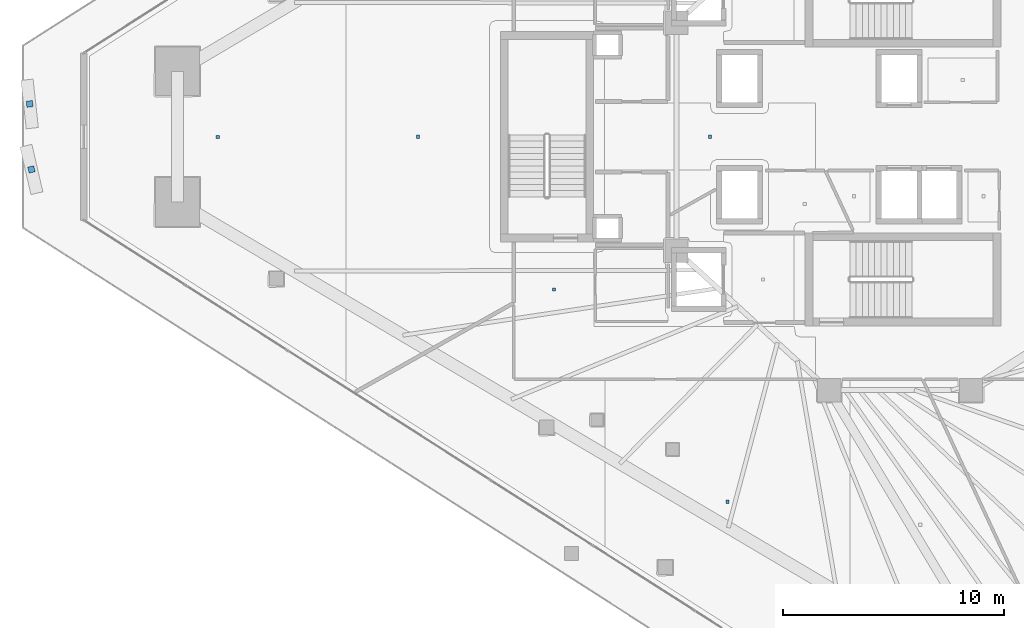
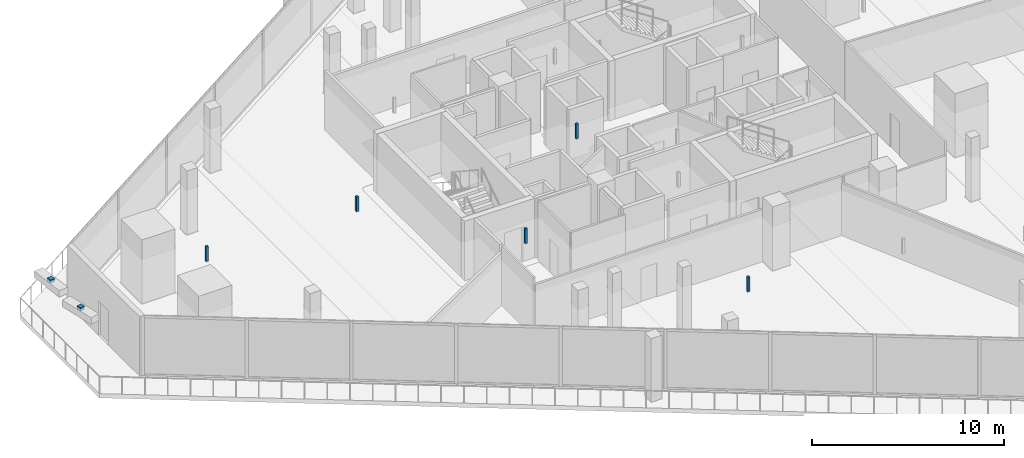
# One storey, part 28 of 38: 7 discrete accessories.
"""IFC4 building model written with IfcOpenShell, lengths in metres."""

from ifc_helpers import new_model, si_unit, direction, frame, origin, origin_2d, place, context, subcontext, project, spatial, rectangle, extrude, material, type_object, element, save


model = new_model("IFC4")

# Units and contexts
model_context = context("Model", 3, precision=1e-05, world=origin(), true_north=direction((0.0, 1.0)))
body_context = subcontext(model_context, "Body", "Model", "MODEL_VIEW")
ifc_project = project(units=[si_unit("LENGTHUNIT", "METRE"), si_unit("AREAUNIT", "SQUARE_METRE"), si_unit("VOLUMEUNIT", "CUBIC_METRE"), si_unit("PLANEANGLEUNIT", "RADIAN"), si_unit("MASSUNIT", "GRAM", prefix="KILO")], contexts=[model_context])

# Site, building, storey
site_placement = place(None, origin())
site = spatial("IfcSite", under=ifc_project, at=site_placement, CompositionType="ELEMENT")
building_placement = place(site_placement, origin())
building = spatial("IfcBuilding", under=site, at=building_placement, Name="Qorvath Tower", CompositionType="ELEMENT")
storey_placement = place(building_placement, frame((0.0, 0.0, 134.10009765625)))
storey = spatial("IfcBuildingStorey", under=building, at=storey_placement, Name="L30", CompositionType="ELEMENT", Elevation=134.10009765625)

# Discrete accessories
ifc_material = material(Name="Galvanised steel bracket", Category="steel")
discrete_accessory_type = type_object("IfcDiscreteAccessoryType", Name="DA-BRACKET", PredefinedType="BRACKET", material=ifc_material)
for number, where, z_axis, x_axis, name in (
    (1, (-59.72998046875, 1.4794921875, 3.6396484375), (0.0, 0.0, 1.0), (0.108511201992, -0.994095226345, 0.0), "Louvre Wave Support Bracket L30-01"),
    (2, (-59.650634765625, -1.4794921875, 3.6396484375), (0.0, 0.0, 1.0), (0.225578527786, -0.974224988287, 0.0), "Louvre Wave Support Bracket L30-02"),
):
    element("IfcDiscreteAccessory", number, at=place(storey_placement, frame(where, z_axis=z_axis, x_axis=x_axis)), inside=storey, type_object=discrete_accessory_type, Name=name, PredefinedType="NOTDEFINED", context=body_context, shape_type="SweptSolid", body=[
        extrude(rectangle(XDim=0.280029296875, YDim=0.280029296875, at=origin_2d()), origin(), (0.0, 0.0, 1.0), 0.199951171875),
    ])
for number, where, z_axis, x_axis, name in (
    (3, (-36.04150390625, -6.906982421875, 2.85986328125), (0.0, 0.0, 1.0), (1.0, 0.0, 0.0), "Acoustic Ceiling Suspension Hanger T1-L30-008"),
    (4, (-28.990234375, 0.0, 2.85986328125), (0.0, 0.0, 1.0), (1.0, 0.0, 0.0), "Acoustic Ceiling Suspension Hanger T1-L30-010"),
    (5, (-51.233154296875, -0.0087890625, 2.85986328125), (0.0, 0.0, 1.0), (1.0, 0.0, 0.0), "Acoustic Ceiling Suspension Hanger T1-L30-011"),
    (6, (-42.1923828125, 0.0, 2.85986328125), (0.0, 0.0, 1.0), (1.0, 0.0, 0.0), "Acoustic Ceiling Suspension Hanger T1-L30-012"),
    (7, (-28.198974609375, -16.490966796875, 2.85986328125), (0.0, 0.0, 1.0), (1.0, 0.0, 0.0), "Acoustic Ceiling Suspension Hanger T1-L30-015"),
):
    element("IfcDiscreteAccessory", number, at=place(storey_placement, frame(where, z_axis=z_axis, x_axis=x_axis)), inside=storey, type_object=discrete_accessory_type, Name=name, PredefinedType="NOTDEFINED", context=body_context, shape_type="SweptSolid", body=[
        extrude(rectangle(XDim=0.139892578125, YDim=0.139892578125, at=origin_2d()), origin(), (0.0, 0.0, 1.0), 0.949951171875),
    ])

save(model, "model.ifc")
